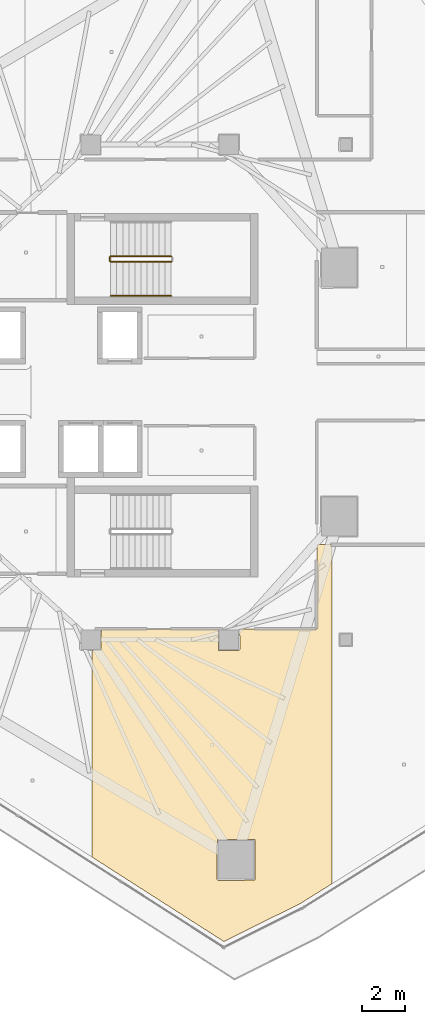
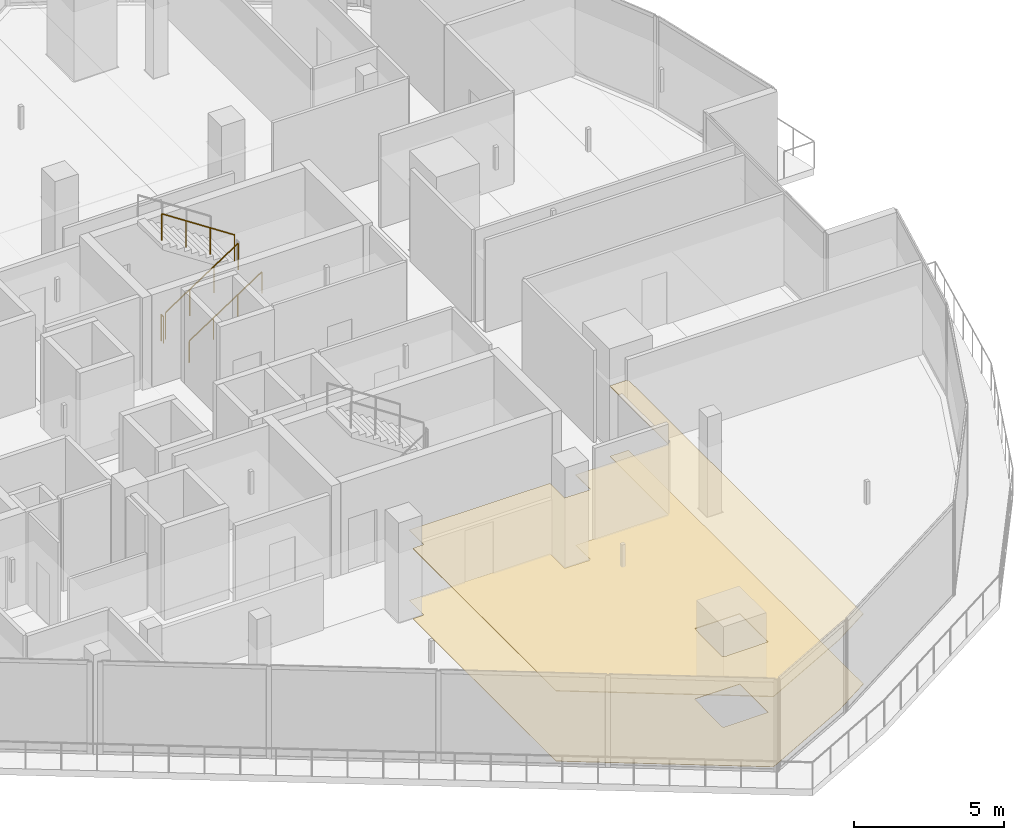
# One storey, part 32 of 34: 4 railings, 2 coverings.
"""IFC4 building model written with IfcOpenShell, lengths in metres."""

from ifc_helpers import new_model, si_unit, direction, frame, origin, origin_2d, place, context, subcontext, project, spatial, polyline, circle, outline, extrude, material, layer, layer_set, type_object, element, save


model = new_model("IFC4")

# Units and contexts
model_context = context("Model", 3, precision=1e-05, world=origin(), true_north=direction((0.0, 1.0)))
body_context = subcontext(model_context, "Body", "Model", "MODEL_VIEW")
ifc_project = project(units=[si_unit("LENGTHUNIT", "METRE"), si_unit("AREAUNIT", "SQUARE_METRE"), si_unit("VOLUMEUNIT", "CUBIC_METRE"), si_unit("PLANEANGLEUNIT", "RADIAN"), si_unit("MASSUNIT", "GRAM", prefix="KILO")], contexts=[model_context])

# Site, building, storey
site_placement = place(None, origin())
site = spatial("IfcSite", under=ifc_project, at=site_placement, CompositionType="ELEMENT")
building_placement = place(site_placement, origin())
building = spatial("IfcBuilding", under=site, at=building_placement, Name="Qorvath Tower", CompositionType="ELEMENT")
storey_placement = place(building_placement, frame((0.0, 0.0, 245.550048828125)))
storey = spatial("IfcBuildingStorey", under=building, at=storey_placement, Name="L57", CompositionType="ELEMENT", Elevation=245.550048828125)

# Coverings
ifc_material_1 = material(Name="Acoustic mineral fibre ceiling tile", Category="gypsum")
ifc_layer_1 = layer(ifc_material_1, 0.030029296875)
ifc_layer_set_1 = layer_set([ifc_layer_1], Name="COV-CEIL")
covering_type_1 = type_object("IfcCoveringType", Name="COV-CEIL", PredefinedType="CEILING", material=ifc_layer_set_1)
covering_1_placement = place(storey_placement, frame((0.0, 0.0, 2.849853515625)))
element("IfcCovering", 1, at=covering_1_placement, inside=storey, type_object=covering_type_1, Name="L57 Suspended Acoustic Ceiling 015", PredefinedType="CEILING", context=body_context, shape_type="SweptSolid", body=[
    extrude(outline(polyline([(-23.53759765625, -11.950439453125), (-23.53759765625, -21.49853515625), (-17.43408203125, -25.407958984375), (-13.885498046875, -23.64453125), (-12.429931640625, -22.733642578125), (-12.429931640625, -7.058349609375), (-13.136962890625, -7.05810546875), (-13.138427734375, -10.96142578125), (-16.705322265625, -10.962890625), (-16.68994140625, -11.89990234375), (-16.75, -11.9599609375), (-17.6923828125, -11.9423828125), (-17.694580078125, -10.962890625), (-23.105224609375, -10.962890625), (-23.107666015625, -11.9423828125), (-23.53759765625, -11.950439453125)]), holes=[polyline([(-17.756591796875, -22.527099609375), (-17.739013671875, -20.6845703125), (-16.00439453125, -20.6845703125), (-16.00439453125, -22.569580078125), (-17.69677734375, -22.587158203125), (-17.756591796875, -22.527099609375)])]), origin(), (0.0, 0.0, 1.0), 0.030029296875),
])
ifc_material_2 = material(Name="Low-VOC modular carpet tile", Category="textile")
ifc_layer_2 = layer(ifc_material_2, 0.014892578125)
ifc_layer_set_2 = layer_set([ifc_layer_2], Name="COV-FLOOR-CPT")
covering_type_2 = type_object("IfcCoveringType", Name="COV-FLOOR-CPT", PredefinedType="FLOORING", material=ifc_layer_set_2)
covering_2_placement = place(storey_placement, origin())
element("IfcCovering", 2, at=covering_2_placement, inside=storey, type_object=covering_type_2, Name="L57 Floor Finish 015", PredefinedType="FLOORING", context=body_context, shape_type="SweptSolid", body=[
    extrude(outline(polyline([(-23.53759765625, -11.950439453125), (-23.53759765625, -21.49853515625), (-17.43408203125, -25.407958984375), (-13.885498046875, -23.64453125), (-12.429931640625, -22.733642578125), (-12.429931640625, -7.058349609375), (-13.136962890625, -7.05810546875), (-13.138427734375, -10.96142578125), (-16.705322265625, -10.962890625), (-16.68994140625, -11.89990234375), (-16.75, -11.9599609375), (-17.6923828125, -11.9423828125), (-17.694580078125, -10.962890625), (-23.105224609375, -10.962890625), (-23.107666015625, -11.9423828125), (-23.53759765625, -11.950439453125)]), holes=[polyline([(-17.756591796875, -22.527099609375), (-17.739013671875, -20.6845703125), (-16.00439453125, -20.6845703125), (-16.00439453125, -22.569580078125), (-17.69677734375, -22.587158203125), (-17.756591796875, -22.527099609375)])]), origin(), (0.0, 0.0, 1.0), 0.014892578125),
])

# Railings
ifc_material_3 = material(Name="Painted galvanised steel", Category="steel")
railing_type_1 = type_object("IfcRailingType", Name="RL-STR-GRD", PredefinedType="GUARDRAIL", material=ifc_material_3)
railing_1_placement = place(storey_placement, frame((-22.669921875, 6.030029296875, 0.18408203125)))
element("IfcRailing", 3, at=railing_1_placement, inside=storey, type_object=railing_type_1, Name="L57 TS1 stair guard 1", PredefinedType="GUARDRAIL", context=body_context, shape_type="SweptSolid", body=[
    extrude(circle(Radius=0.02392578125, at=origin_2d()), frame((0.0, 0.0, 1.076171875), z_axis=(0.835575518608, 0.0, 0.549375602573), x_axis=(0.0, 1.0, 0.0)), (0.0, 0.0, 1.0), 3.350830078125),
    extrude(circle(Radius=0.02099609375, at=origin_2d()), origin(), (0.0, 0.0, 1.0), 1.052001953125),
    extrude(circle(Radius=0.02099609375, at=origin_2d()), frame((0.933349609375, 0.0, 0.613525390625)), (0.0, 0.0, 1.0), 1.052001953125),
    extrude(circle(Radius=0.02099609375, at=origin_2d()), frame((1.866455078125, 0.0, 1.227294921875)), (0.0, 0.0, 1.0), 1.052001953125),
    extrude(circle(Radius=0.02099609375, at=origin_2d()), frame((2.7998046875, 0.0, 1.8408203125)), (0.0, 0.0, 1.0), 1.052001953125),
])
railing_2_placement = place(storey_placement, frame((-19.8701171875, 6.280029296875, 2.208984375)))
element("IfcRailing", 4, at=railing_2_placement, inside=storey, type_object=railing_type_1, Name="L57 TS1 stair guard 3", PredefinedType="GUARDRAIL", context=body_context, shape_type="SweptSolid", body=[
    extrude(circle(Radius=0.02392578125, at=origin_2d()), frame((0.0, 0.0, 1.076171875), z_axis=(-0.835542071712, 0.0, 0.549426470421), x_axis=(0.0, -1.0, 0.0)), (0.0, 0.0, 1.0), 3.350830078125),
    extrude(circle(Radius=0.02099609375, at=origin_2d()), origin(), (0.0, 0.0, 1.0), 1.052001953125),
    extrude(circle(Radius=0.02099609375, at=origin_2d()), frame((-0.933349609375, 0.0, 0.61376953125)), (0.0, 0.0, 1.0), 1.052001953125),
    extrude(circle(Radius=0.02099609375, at=origin_2d()), frame((-1.866455078125, 0.0, 1.227294921875)), (0.0, 0.0, 1.0), 1.052001953125),
    extrude(circle(Radius=0.02099609375, at=origin_2d()), frame((-2.7998046875, 0.0, 1.841064453125)), (0.0, 0.0, 1.0), 1.052001953125),
])
railing_3_placement = place(storey_placement, frame((-22.719970703125, 6.080078125, 0.0)))
element("IfcRailing", 5, at=railing_3_placement, inside=storey, type_object=railing_type_1, Name="L57 TS1 stair guard 4", PredefinedType="GUARDRAIL", context=body_context, shape_type="SweptSolid", body=[
    extrude(circle(Radius=0.02392578125, at=origin_2d()), frame((0.0, 0.0, 1.076171875), z_axis=(0.0, 1.0, 0.0), x_axis=(-1.0, 0.0, 0.0)), (0.0, 0.0, 1.0), 0.14990234375),
    extrude(circle(Radius=0.02099609375, at=origin_2d()), origin(), (0.0, 0.0, 1.0), 1.052001953125),
    extrude(circle(Radius=0.02099609375, at=origin_2d()), frame((0.0, 0.14990234375, 0.0)), (0.0, 0.0, 1.0), 1.052001953125),
])
ifc_material_4 = material(Name="Brushed stainless steel AISI 304", Category="steel")
railing_type_2 = type_object("IfcRailingType", Name="RL-STR-HND", PredefinedType="HANDRAIL", material=ifc_material_4)
railing_4_placement = place(storey_placement, frame((-22.669921875, 4.449951171875, 0.18408203125)))
element("IfcRailing", 6, at=railing_4_placement, inside=storey, type_object=railing_type_2, Name="L57 TS1 stair handrail 1", PredefinedType="HANDRAIL", context=body_context, shape_type="SweptSolid", body=[
    extrude(circle(Radius=0.02392578125, at=origin_2d()), frame((0.0, 0.0, 0.8759765625), z_axis=(0.835575518608, 0.0, 0.549375602573), x_axis=(0.0, 1.0, 0.0)), (0.0, 0.0, 1.0), 3.350830078125),
    extrude(circle(Radius=0.02099609375, at=origin_2d()), origin(), (0.0, 0.0, 1.0), 0.851806640625),
    extrude(circle(Radius=0.02099609375, at=origin_2d()), frame((0.933349609375, 0.0, 0.613525390625)), (0.0, 0.0, 1.0), 0.851806640625),
    extrude(circle(Radius=0.02099609375, at=origin_2d()), frame((1.866455078125, 0.0, 1.227294921875)), (0.0, 0.0, 1.0), 0.851806640625),
    extrude(circle(Radius=0.02099609375, at=origin_2d()), frame((2.7998046875, 0.0, 1.8408203125)), (0.0, 0.0, 1.0), 0.851806640625),
])

save(model, "model.ifc")
